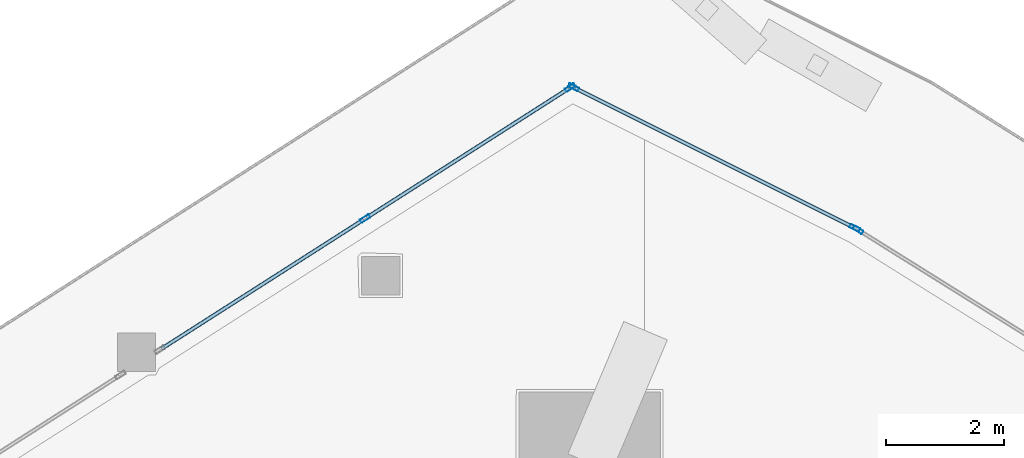
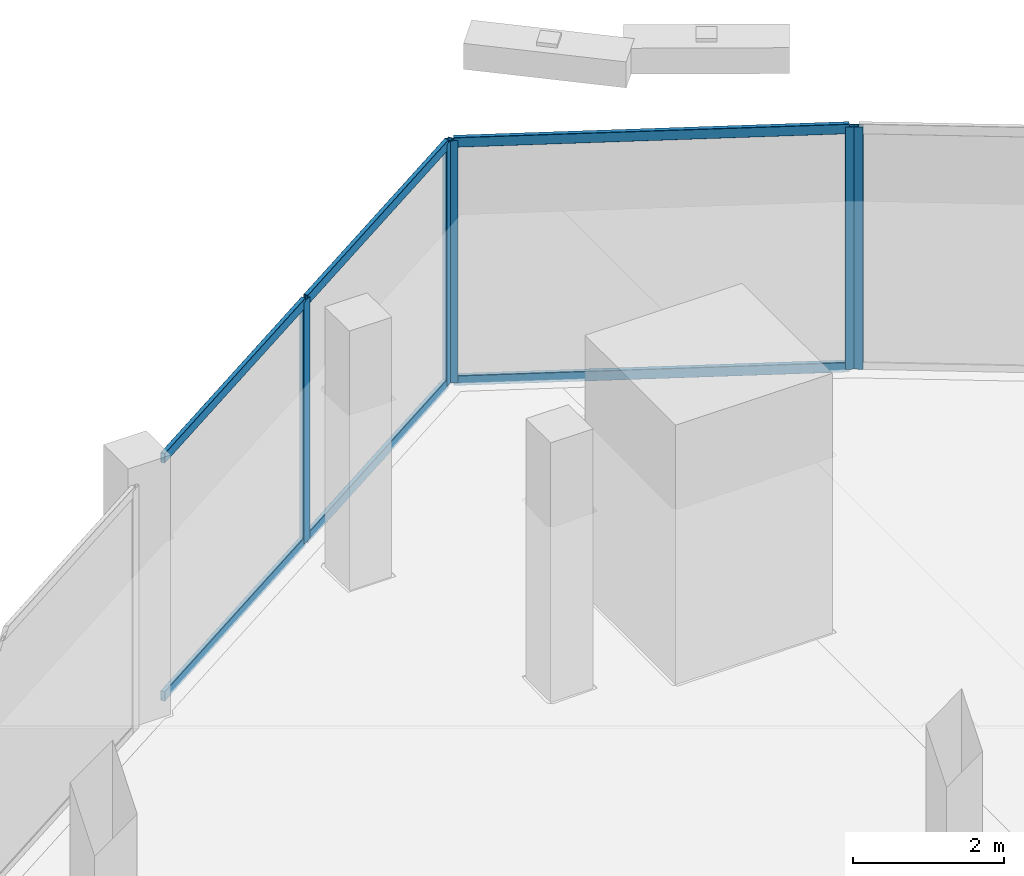
# One storey, part 27 of 42: 11 members, 3 elements without a shape of their own.
"""IFC4 building model written with IfcOpenShell, lengths in metres."""

import ifcopenshell
import ifcopenshell.guid

model = None  # the IFC model being written
_history = None  # IfcOwnerHistory: only IFC2X3 demands one
_inside = {}  # id of a spatial element -> (the spatial element, [elements in it])
_under = {}  # id of a project, library or spatial element -> (it, [spatial elements below it])
_declared = {}  # id of a project -> (the project, [libraries it declares])
_typed = {}  # id of a type object -> (the type object, [elements of that type])
_made_of = {}  # id of a material, layer set ... -> (it, [elements and type objects made of it])


def new_model(schema):
    """Start an empty IFC model of exactly this schema.

    Asked for "IFC4X3", IfcOpenShell would pick the latest addendum, in which some entities
    have other attributes; the version numbers below select the first issue.
    IFC2X3 requires an IfcOwnerHistory on every rooted entity: one is made here for all.
    """
    global model, _history
    if schema == "IFC4X3":
        model = ifcopenshell.file(schema_version=(4, 3, 0, 0))
    else:
        model = ifcopenshell.file(schema=schema)
    _inside.clear()
    _under.clear()
    _declared.clear()
    _typed.clear()
    _made_of.clear()
    _history = None
    if model.schema == "IFC2X3":
        org = make("IfcOrganization", Name="unknown")
        user = make(
            "IfcPersonAndOrganization",
            ThePerson=make("IfcPerson", FamilyName="unknown"),
            TheOrganization=org,
        )
        app = make(
            "IfcApplication",
            ApplicationDeveloper=org,
            Version="unknown",
            ApplicationFullName="unknown",
            ApplicationIdentifier="unknown",
        )
        _history = make(
            "IfcOwnerHistory",
            OwningUser=user,
            OwningApplication=app,
            ChangeAction="ADDED",
            CreationDate=0,
        )
    return model


def make(cls, **values):
    """One entity of the class cls with the attributes given. An attribute that is None is left unset."""
    return model.create_entity(
        cls, **{name: value for name, value in values.items() if value is not None}
    )


def rooted(cls, **values):
    """An entity with a GlobalId (a new one), such as an element, a storey or a relation."""
    return make(cls, GlobalId=ifcopenshell.guid.new(), OwnerHistory=_history, **values)


def si_unit(unit_type, name, prefix=None):
    """IfcSIUnit, for example si_unit("LENGTHUNIT", "METRE", prefix="MILLI")."""
    return make("IfcSIUnit", UnitType=unit_type, Prefix=prefix, Name=name)


def assignment(units):
    """IfcUnitAssignment: the units of a project."""
    return None if units is None else make("IfcUnitAssignment", Units=units)


def point(xyz):
    """IfcCartesianPoint."""
    return None if xyz is None else make("IfcCartesianPoint", Coordinates=xyz)


def direction(xyz):
    """IfcDirection."""
    return None if xyz is None else make("IfcDirection", DirectionRatios=xyz)


def frame(location, z_axis=None, x_axis=None):
    """IfcAxis2Placement3D, a coordinate frame: its origin and axes. An axis left out is left unset."""
    return make(
        "IfcAxis2Placement3D",
        Location=point(location),
        Axis=direction(z_axis),
        RefDirection=direction(x_axis),
    )


def frame_2d(location, x_axis=None):
    """IfcAxis2Placement2D, a coordinate frame in the plane: its origin and x axis."""
    return make(
        "IfcAxis2Placement2D", Location=point(location), RefDirection=direction(x_axis)
    )


def origin():
    """The frame at (0, 0, 0) with its axes left unset."""
    return frame((0.0, 0.0, 0.0))


def origin_2d():
    """The frame at (0, 0) in the plane with its x axis left unset."""
    return frame_2d((0.0, 0.0))


def place(relative_to, where):
    """IfcLocalPlacement: puts the frame where relative to a parent placement (None: the world)."""
    return make(
        "IfcLocalPlacement", PlacementRelTo=relative_to, RelativePlacement=where
    )


def context(
    kind, dimensions, precision=None, world=None, true_north=None, identifier=None
):
    """IfcGeometricRepresentationContext, for example the 3D "Model" context."""
    return make(
        "IfcGeometricRepresentationContext",
        ContextIdentifier=identifier,
        ContextType=kind,
        CoordinateSpaceDimension=dimensions,
        Precision=precision,
        WorldCoordinateSystem=world,
        TrueNorth=true_north,
    )


def subcontext(parent, identifier, kind, view, scale=None):
    """IfcGeometricRepresentationSubContext, for example "Body" below "Model"."""
    return make(
        "IfcGeometricRepresentationSubContext",
        ContextIdentifier=identifier,
        ContextType=kind,
        ParentContext=parent,
        TargetScale=scale,
        TargetView=view,
    )


def project(units=None, contexts=None):
    """IfcProject with its units and contexts."""
    return rooted(
        "IfcProject",
        Name="project",
        RepresentationContexts=contexts,
        UnitsInContext=assignment(units),
    )


def spatial(cls, under=None, at=None, **own):
    """A site, building, storey or space (cls), placed at a placement, below another one or the project."""
    s = rooted(cls, ObjectPlacement=at, **own)
    if under is not None:
        _under.setdefault(under.id(), (under, []))[1].append(s)
    return s


def profile(cls, at=None, kind="AREA", **sizes):
    """A parametric profile (cls). Its sizes go by their IFC names, for example OverallWidth=200.0."""
    return make(cls, ProfileType=kind, Position=at, **sizes)


def hollow_rectangle(**sizes):
    """IfcRectangleHollowProfileDef."""
    return profile("IfcRectangleHollowProfileDef", **sizes)


def extrude(swept, where, along, depth):
    """IfcExtrudedAreaSolid: the profile swept, set in the frame where, extruded along a direction by depth."""
    return make(
        "IfcExtrudedAreaSolid",
        SweptArea=swept,
        Position=where,
        ExtrudedDirection=direction(along),
        Depth=depth,
    )


def shape(context_of_items, identifier, shape_type, items):
    """IfcShapeRepresentation: the items that make up one representation, for example the "Body"."""
    return make(
        "IfcShapeRepresentation",
        ContextOfItems=context_of_items,
        RepresentationIdentifier=identifier,
        RepresentationType=shape_type,
        Items=items,
    )


def material(Name=None, Category=None):
    """IfcMaterial."""
    return make("IfcMaterial", Name=Name, Category=Category)


def layer(
    of_material, thickness, ventilated=None, Name=None, Category=None, Priority=None
):
    """IfcMaterialLayer: one layer of a wall or slab, of a material (None: an air gap)."""
    return make(
        "IfcMaterialLayer",
        Material=of_material,
        LayerThickness=thickness,
        IsVentilated=ventilated,
        Name=Name,
        Category=Category,
        Priority=Priority,
    )


def layer_set(layers, Name=None):
    """IfcMaterialLayerSet."""
    return make("IfcMaterialLayerSet", MaterialLayers=layers, LayerSetName=Name)


def material_profile(
    of_material, cross_section, Name=None, Category=None, Priority=None
):
    """IfcMaterialProfile: a cross section and its material."""
    return make(
        "IfcMaterialProfile",
        Name=Name,
        Material=of_material,
        Profile=cross_section,
        Priority=Priority,
        Category=Category,
    )


def profile_set(profiles, Name=None, composite=None):
    """IfcMaterialProfileSet."""
    return make(
        "IfcMaterialProfileSet",
        Name=Name,
        MaterialProfiles=profiles,
        CompositeProfile=composite,
    )


def made_of(thing, what):
    """Note that an element or type object is made of a material, layer set ...; save() writes the relation."""
    if what is not None:
        _made_of.setdefault(what.id(), (what, []))[1].append(thing)
    return thing


def type_object(cls, material=None, **own):
    """A type object (cls), such as IfcWallType, which elements share."""
    return made_of(rooted(cls, **own), material)


def element(
    cls,
    number,
    at=None,
    inside=None,
    cuts=None,
    type_object=None,
    material=None,
    context=None,
    identifier="Body",
    shape_type=None,
    held_by="IfcProductDefinitionShape",
    body=None,
    shapes=None,
    **own,
):
    """One element of the class cls, such as IfcWall. Its Tag is "e" and its number.

    at: its placement. inside: the storey or other place that contains it. cuts: it is an
    opening in that element (IfcRelVoidsElement). A single representation is given by context,
    identifier, shape_type and body (its items); several are given by shapes. held_by: the class
    of the entity that holds the representations. save() writes the other relations.
    """
    e = rooted(cls, Tag="e%d" % number, ObjectPlacement=at, **own)
    if body is not None:
        shapes = [shape(context, identifier, shape_type, body)]
    if shapes is not None:
        e.Representation = make(held_by, Representations=shapes)
    if inside is not None:
        _inside.setdefault(inside.id(), (inside, []))[1].append(e)
    if cuts is not None:
        rooted(
            "IfcRelVoidsElement", RelatingBuildingElement=cuts, RelatedOpeningElement=e
        )
    if type_object is not None:
        _typed.setdefault(type_object.id(), (type_object, []))[1].append(e)
    return made_of(e, material)


def aggregate(whole, parts):
    """IfcRelAggregates: a whole, such as a stair, and the parts it consists of."""
    return rooted("IfcRelAggregates", RelatingObject=whole, RelatedObjects=parts)


def save(model, path):
    """Write the relations noted so far, then the file.

    IfcRelAggregates (storeys below a building ...), IfcRelContainedInSpatialStructure (elements
    in a storey), IfcRelDefinesByType, IfcRelAssociatesMaterial and IfcRelDeclares: one each for
    every whole, place, type object, material and project.
    """
    for whole, parts in _under.values():
        aggregate(whole, parts)
    for where, things in _inside.values():
        rooted(
            "IfcRelContainedInSpatialStructure",
            RelatedElements=things,
            RelatingStructure=where,
        )
    for kind, things in _typed.values():
        rooted("IfcRelDefinesByType", RelatedObjects=things, RelatingType=kind)
    for what, things in _made_of.values():
        rooted("IfcRelAssociatesMaterial", RelatedObjects=things, RelatingMaterial=what)
    for by, libraries in _declared.values():
        rooted("IfcRelDeclares", RelatingContext=by, RelatedDefinitions=libraries)
    model.write(path)


model = new_model("IFC4")

# Units and contexts
model_context = context("Model", 3, precision=1e-05, world=origin(), true_north=direction((0.0, 1.0)))
body_context = subcontext(model_context, "Body", "Model", "MODEL_VIEW")
ifc_project = project(units=[si_unit("LENGTHUNIT", "METRE"), si_unit("AREAUNIT", "SQUARE_METRE"), si_unit("VOLUMEUNIT", "CUBIC_METRE"), si_unit("PLANEANGLEUNIT", "RADIAN"), si_unit("MASSUNIT", "GRAM", prefix="KILO")], contexts=[model_context])

# Site, building, storey
site_placement = place(None, origin())
site = spatial("IfcSite", under=ifc_project, at=site_placement, CompositionType="ELEMENT")
building_placement = place(site_placement, origin())
building = spatial("IfcBuilding", under=site, at=building_placement, Name="Qorvath Tower", CompositionType="ELEMENT")
storey_placement = place(building_placement, frame((0.0, 0.0, 32.39990234375)))
storey = spatial("IfcBuildingStorey", under=building, at=storey_placement, Name="L06", CompositionType="ELEMENT", Elevation=32.39990234375)

# Curtain wall, member
ifc_material_1 = material(Name="Anodised aluminium and triple low-E glass", Category="aluminium")
ifc_layer = layer(ifc_material_1, 0.179931640625)
ifc_layer_set = layer_set([ifc_layer], Name="CW-SYS-2")
curtain_wall_type = type_object("IfcCurtainWallType", Name="CW-SYS-2", PredefinedType="NOTDEFINED", material=ifc_layer_set)
curtain_wall_1_placement = place(storey_placement, origin())
curtain_wall_1 = element("IfcCurtainWall", 1, at=curtain_wall_1_placement, inside=storey, type_object=curtain_wall_type, Name="Curtain Wall CW-2 CW-T-L06-14.1", PredefinedType="NOTDEFINED")
ifc_material_2 = material(Name="Anodised aluminium 6063-T6", Category="aluminium")
ifc_material_profile_1 = material_profile(ifc_material_2, hollow_rectangle(XDim=0.06494140625, YDim=0.179931640625, WallThickness=0.00341796875, InnerFilletRadius=0.00341796875, OuterFilletRadius=0.007080078125, at=origin_2d()), Name="CWM 180x65")
ifc_profile_set_1 = profile_set([ifc_material_profile_1], Name="Anodised aluminium 6063-T6")
member_type_1 = type_object("IfcMemberType", Name="CWM-180", PredefinedType="MULLION", material=ifc_profile_set_1)
member_1_placement = place(storey_placement, frame((-9.92529296875, 31.2744140625, 0.0), z_axis=(0.0, 0.0, 1.0), x_axis=(-0.529769187701, -0.848141855919, 0.0)))
member_1 = element("IfcMember", 2, at=member_1_placement, type_object=member_type_1, Name="CW-2 mullion 3", PredefinedType="MULLION", context=body_context, shape_type="SweptSolid", body=[
    extrude(hollow_rectangle(XDim=0.06494140625, YDim=0.179931640625, WallThickness=0.00341796875, InnerFilletRadius=0.00341796875, OuterFilletRadius=0.007080078125, at=origin_2d()), origin(), (0.0, 0.0, 1.0), 3.920166015625),
])
aggregate(curtain_wall_1, [member_1])

# Curtain wall, members
curtain_wall_2_placement = place(storey_placement, origin())
curtain_wall_2 = element("IfcCurtainWall", 3, at=curtain_wall_2_placement, inside=storey, type_object=curtain_wall_type, Name="Curtain Wall CW-2 CW-T-L06-15.1", PredefinedType="NOTDEFINED")
member_2_placement = place(storey_placement, frame((-9.98193359375, 31.30615234375, 0.0), z_axis=(0.0, 0.0, 1.0), x_axis=(-0.447198732162, -0.894434622514, 0.0)))
member_2 = element("IfcMember", 4, at=member_2_placement, type_object=member_type_1, Name="CW-2 mullion 1", PredefinedType="MULLION", context=body_context, shape_type="SweptSolid", body=[
    extrude(hollow_rectangle(XDim=0.06494140625, YDim=0.179931640625, WallThickness=0.00341796875, InnerFilletRadius=0.00341796875, OuterFilletRadius=0.007080078125, at=origin_2d()), origin(), (0.0, 0.0, 1.0), 3.920166015625),
])
member_3_placement = place(storey_placement, frame((-14.738037109375, 33.68408203125, 0.0), z_axis=(0.0, 0.0, 1.0), x_axis=(-0.447198732162, -0.894434622514, 0.0)))
member_3 = element("IfcMember", 5, at=member_3_placement, type_object=member_type_1, Name="CW-2 mullion 2", PredefinedType="MULLION", context=body_context, shape_type="SweptSolid", body=[
    extrude(hollow_rectangle(XDim=0.06494140625, YDim=0.179931640625, WallThickness=0.00341796875, InnerFilletRadius=0.00341796875, OuterFilletRadius=0.007080078125, at=origin_2d()), origin(), (0.0, 0.0, 1.0), 3.920166015625),
])

curtain_wall_3_placement = place(storey_placement, origin())
curtain_wall_3 = element("IfcCurtainWall", 6, at=curtain_wall_3_placement, inside=storey, type_object=curtain_wall_type, Name="Curtain Wall CW-2 CW-T-L06-16.1", PredefinedType="NOTDEFINED")
member_4_placement = place(storey_placement, frame((-14.79443359375, 33.68115234375, 0.0), z_axis=(0.0, 0.0, 1.0), x_axis=(0.538538747669, -0.842600746059, 0.0)))
member_4 = element("IfcMember", 7, at=member_4_placement, type_object=member_type_1, Name="CW-2 mullion 1", PredefinedType="MULLION", context=body_context, shape_type="SweptSolid", body=[
    extrude(hollow_rectangle(XDim=0.06494140625, YDim=0.179931640625, WallThickness=0.00341796875, InnerFilletRadius=0.00341796875, OuterFilletRadius=0.007080078125, at=origin_2d()), origin(), (0.0, 0.0, 1.0), 3.920166015625),
])
member_5_placement = place(storey_placement, frame((-18.26416015625, 31.463623046875, 0.0), z_axis=(0.0, 0.0, 1.0), x_axis=(0.538538747669, -0.842600746059, 0.0)))
member_5 = element("IfcMember", 8, at=member_5_placement, type_object=member_type_1, Name="CW-2 mullion 2", PredefinedType="MULLION", context=body_context, shape_type="SweptSolid", body=[
    extrude(hollow_rectangle(XDim=0.06494140625, YDim=0.179931640625, WallThickness=0.00341796875, InnerFilletRadius=0.00341796875, OuterFilletRadius=0.007080078125, at=origin_2d()), origin(), (0.0, 0.0, 1.0), 3.920166015625),
])

# Member
ifc_material_3 = material(Name="Anodised aluminium 6063-T6", Category="aluminium")
ifc_material_profile_2 = material_profile(ifc_material_3, hollow_rectangle(XDim=0.06494140625, YDim=0.159912109375, WallThickness=0.00341796875, InnerFilletRadius=0.00341796875, OuterFilletRadius=0.007080078125, at=origin_2d()), Name="CWT 160x65")
ifc_profile_set_2 = profile_set([ifc_material_profile_2], Name="Anodised aluminium 6063-T6")
member_type_2 = type_object("IfcMemberType", Name="CWT-160", PredefinedType="USERDEFINED", material=ifc_profile_set_2)
member_6_placement = place(storey_placement, frame((-10.010986328125, 31.32080078125, 0.032470703125), z_axis=(-0.894436487034, 0.447195002949, 0.0), x_axis=(-0.447195002949, -0.894436487034, 0.0)))
member_6 = element("IfcMember", 9, at=member_6_placement, type_object=member_type_2, Name="CW-2 transom 1.1", ObjectType="TRANSOM", PredefinedType="USERDEFINED", context=body_context, shape_type="SweptSolid", body=[
    extrude(hollow_rectangle(XDim=0.06494140625, YDim=0.159912109375, WallThickness=0.00341796875, InnerFilletRadius=0.00341796875, OuterFilletRadius=0.007080078125, at=origin_2d()), origin(), (0.0, 0.0, 1.0), 5.25244140625),
])

member_7_placement = place(storey_placement, frame((-10.010986328125, 31.32080078125, 3.8876953125), z_axis=(-0.894436487034, 0.447195002949, 0.0), x_axis=(-0.447195002949, -0.894436487034, 0.0)))
member_7 = element("IfcMember", 10, at=member_7_placement, type_object=member_type_2, Name="CW-2 transom 1.2", ObjectType="TRANSOM", PredefinedType="USERDEFINED", context=body_context, shape_type="SweptSolid", body=[
    extrude(hollow_rectangle(XDim=0.06494140625, YDim=0.159912109375, WallThickness=0.00341796875, InnerFilletRadius=0.00341796875, OuterFilletRadius=0.007080078125, at=origin_2d()), origin(), (0.0, 0.0, 1.0), 5.25244140625),
])

aggregate(curtain_wall_2, [member_2, member_3, member_6, member_7])

member_8_placement = place(storey_placement, frame((-14.82177734375, 33.66357421875, 0.032470703125), z_axis=(-0.842635519442, -0.538484337167, 0.0), x_axis=(0.538484337167, -0.842635519442, 0.0)))
member_8 = element("IfcMember", 11, at=member_8_placement, type_object=member_type_2, Name="CW-2 transom 1.1", ObjectType="TRANSOM", PredefinedType="USERDEFINED", context=body_context, shape_type="SweptSolid", body=[
    extrude(hollow_rectangle(XDim=0.06494140625, YDim=0.159912109375, WallThickness=0.00341796875, InnerFilletRadius=0.00341796875, OuterFilletRadius=0.007080078125, at=origin_2d()), origin(), (0.0, 0.0, 1.0), 4.052734375),
])

member_9_placement = place(storey_placement, frame((-14.82177734375, 33.66357421875, 3.8876953125), z_axis=(-0.842635519442, -0.538484337167, 0.0), x_axis=(0.538484337167, -0.842635519442, 0.0)))
member_9 = element("IfcMember", 12, at=member_9_placement, type_object=member_type_2, Name="CW-2 transom 1.2", ObjectType="TRANSOM", PredefinedType="USERDEFINED", context=body_context, shape_type="SweptSolid", body=[
    extrude(hollow_rectangle(XDim=0.06494140625, YDim=0.159912109375, WallThickness=0.00341796875, InnerFilletRadius=0.00341796875, OuterFilletRadius=0.007080078125, at=origin_2d()), origin(), (0.0, 0.0, 1.0), 4.052734375),
])

member_10_placement = place(storey_placement, frame((-18.29150390625, 31.446044921875, 0.032470703125), z_axis=(-0.842608185635, -0.53852710749, 0.0), x_axis=(0.53852710749, -0.842608185635, 0.0)))
member_10 = element("IfcMember", 13, at=member_10_placement, type_object=member_type_2, Name="CW-2 transom 2.1", ObjectType="TRANSOM", PredefinedType="USERDEFINED", context=body_context, shape_type="SweptSolid", body=[
    extrude(hollow_rectangle(XDim=0.06494140625, YDim=0.159912109375, WallThickness=0.00341796875, InnerFilletRadius=0.00341796875, OuterFilletRadius=0.007080078125, at=origin_2d()), origin(), (0.0, 0.0, 1.0), 4.052978515625),
])

member_11_placement = place(storey_placement, frame((-18.29150390625, 31.446044921875, 3.8876953125), z_axis=(-0.842608185635, -0.53852710749, 0.0), x_axis=(0.53852710749, -0.842608185635, 0.0)))
member_11 = element("IfcMember", 14, at=member_11_placement, type_object=member_type_2, Name="CW-2 transom 2.2", ObjectType="TRANSOM", PredefinedType="USERDEFINED", context=body_context, shape_type="SweptSolid", body=[
    extrude(hollow_rectangle(XDim=0.06494140625, YDim=0.159912109375, WallThickness=0.00341796875, InnerFilletRadius=0.00341796875, OuterFilletRadius=0.007080078125, at=origin_2d()), origin(), (0.0, 0.0, 1.0), 4.052978515625),
])

aggregate(curtain_wall_3, [member_4, member_5, member_8, member_9, member_10, member_11])

save(model, "model.ifc")
